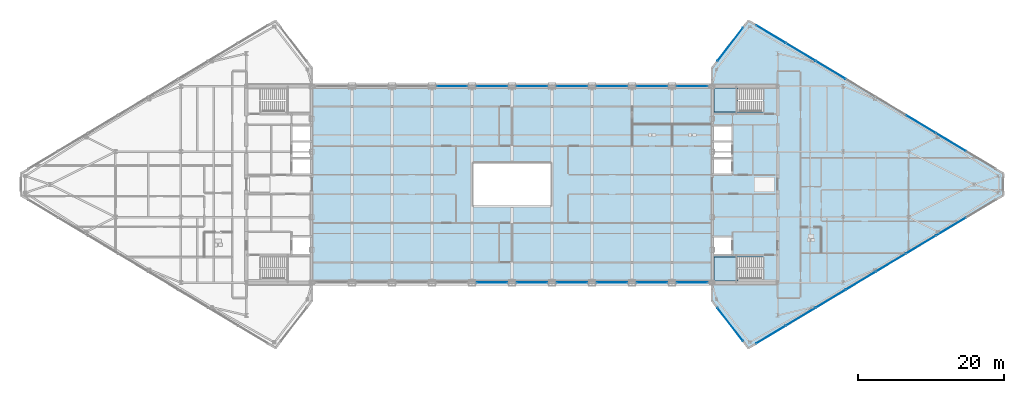
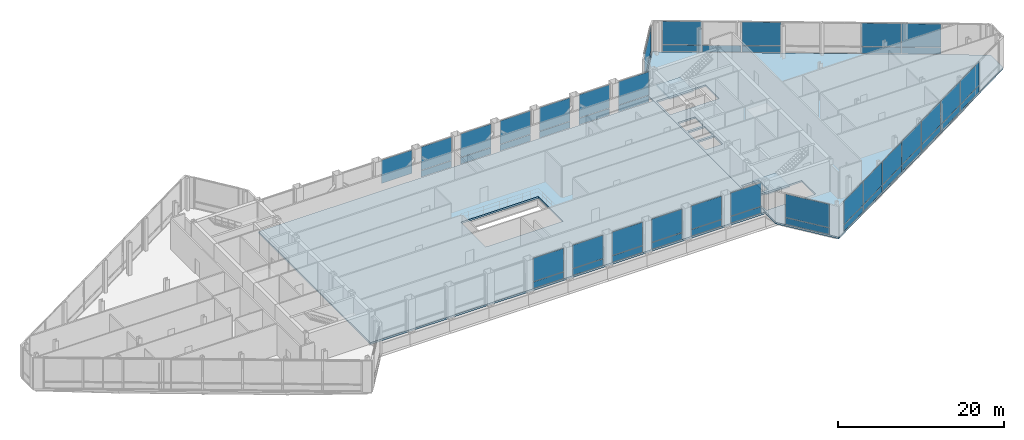
# One storey, part 20 of 30: 52 plates, 4 slabs, 19 elements without a shape of their own.
"""IFC4 building model written with IfcOpenShell, lengths in metres."""

from ifc_helpers import new_model, si_unit, direction, frame, origin, origin_2d, place, context, subcontext, project, spatial, polyline, rectangle, outline, extrude, source, transform, mapped, material, layer, layer_set, type_object, type_shapes, element, aggregate, save


model = new_model("IFC4")

# Units and contexts
model_context = context("Model", 3, precision=1e-05, world=origin(), true_north=direction((0.0, 1.0)))
body_context = subcontext(model_context, "Body", "Model", "MODEL_VIEW")
ifc_project = project(units=[si_unit("LENGTHUNIT", "METRE"), si_unit("AREAUNIT", "SQUARE_METRE"), si_unit("VOLUMEUNIT", "CUBIC_METRE"), si_unit("PLANEANGLEUNIT", "RADIAN"), si_unit("MASSUNIT", "GRAM", prefix="KILO")], contexts=[model_context])

# Site, building, storey
site_placement = place(None, origin())
site = spatial("IfcSite", under=ifc_project, at=site_placement, CompositionType="ELEMENT")
building_placement = place(site_placement, origin())
building = spatial("IfcBuilding", under=site, at=building_placement, Name="Seokmaru Belvedere", CompositionType="ELEMENT")
storey_placement = place(building_placement, frame((0.0, 0.0, 234.60009765625)))
storey = spatial("IfcBuildingStorey", under=building, at=storey_placement, Name="L62", CompositionType="ELEMENT", Elevation=234.60009765625)

# Slabs
ifc_material_1 = material(Name="Concrete C50 (50 MPa)", Category="concrete")
ifc_layer_1 = layer(ifc_material_1, 0.260009765625)
ifc_layer_set_1 = layer_set([ifc_layer_1], Name="Concrete C50 (50 MPa)")
slab_type_1 = type_object("IfcSlabType", Name="Refuge and Sky-Gate Heavy Floor Slab 260", PredefinedType="FLOOR", material=ifc_layer_set_1)
slab_1_placement = place(storey_placement, frame((0.0, 0.0, -0.260009765625)))
element("IfcSlab", 1, at=slab_1_placement, inside=storey, type_object=slab_type_1, Name="L62 East Leg Floor Slab", PredefinedType="FLOOR", context=body_context, shape_type="SweptSolid", body=[
    extrude(outline(polyline([(32.5, -22.5), (67.5, -1.5), (67.5, 1.5), (32.5, 22.5), (27.5, 16.0), (27.5, -16.0), (32.5, -22.5)]), holes=[polyline([(27.75, -13.25), (34.60009765625, -13.25), (34.60009765625, -9.949951171875), (27.75, -9.949951171875), (27.75, -13.25)]), polyline([(27.75, 9.949951171875), (34.60009765625, 9.949951171875), (34.60009765625, 13.25), (27.75, 13.25), (27.75, 9.949951171875)]), polyline([(27.75, -9.550048828125), (30.14990234375, -9.550048828125), (30.14990234375, -7.25), (27.75, -7.25), (27.75, -9.550048828125)]), polyline([(27.75, 1.449951171875), (30.14990234375, 1.449951171875), (30.14990234375, 3.449951171875), (27.75, 3.449951171875), (27.75, 1.449951171875)]), polyline([(27.75, 3.75), (30.14990234375, 3.75), (30.14990234375, 5.75), (27.75, 5.75), (27.75, 3.75)]), polyline([(27.75, 6.050048828125), (30.14990234375, 6.050048828125), (30.14990234375, 8.050048828125), (27.75, 8.050048828125), (27.75, 6.050048828125)])]), origin(), (0.0, 0.0, 1.0), 0.260009765625),
])
slab_2_placement = place(storey_placement, frame((0.0, 0.0, -0.260009765625)))
element("IfcSlab", 2, at=slab_2_placement, inside=storey, type_object=slab_type_1, Name="L62 Sky-Gate Bridge Floor Slab", PredefinedType="FLOOR", context=body_context, shape_type="SweptSolid", body=[
    extrude(outline(polyline([(-27.5, -13.5), (27.5, -13.5), (27.5, 13.5), (-27.5, 13.5), (-27.5, -13.5)]), holes=[polyline([(-5.39990234375, -3.0), (5.39990234375, -3.0), (5.39990234375, 3.0), (-5.39990234375, 3.0), (-5.39990234375, -3.0)])]), origin(), (0.0, 0.0, 1.0), 0.260009765625),
])

# Stair, slab
ifc_material_2 = material(Name="Concrete C40 (40 MPa)", Category="concrete")
stair_type = type_object("IfcStairType", Name="Basement Core Dog-Leg Stair 4800", PredefinedType="TWO_STRAIGHT_RUN_STAIR", material=ifc_material_2)
stair_1_placement = place(storey_placement, origin())
stair_1 = element("IfcStair", 3, at=stair_1_placement, inside=storey, type_object=stair_type, Name="L62 Special Escape Stair ST-E1", PredefinedType="TWO_STRAIGHT_RUN_STAIR")
ifc_layer_2 = layer(ifc_material_2, 0.199951171875)
ifc_layer_set_2 = layer_set([ifc_layer_2], Name="Concrete C40 (40 MPa)")
slab_type_2 = type_object("IfcSlabType", Name="Reinforced Concrete Stair Landing Slab 200", PredefinedType="LANDING", material=ifc_layer_set_2)
slab_3_placement = place(storey_placement, frame((0.0, 0.0, 2.199951171875)))
slab_3 = element("IfcSlab", 4, at=slab_3_placement, type_object=slab_type_2, Name="ST-E1 landing 1", PredefinedType="LANDING", context=body_context, shape_type="SweptSolid", body=[
    extrude(outline(polyline([(27.760009765625, -13.239990234375), (31.0400390625, -13.239990234375), (31.0400390625, -9.949951171875), (27.760009765625, -9.949951171875), (27.760009765625, -13.239990234375)])), origin(), (0.0, 0.0, 1.0), 0.199951171875),
])
aggregate(stair_1, [slab_3])

stair_2_placement = place(storey_placement, origin())
stair_2 = element("IfcStair", 5, at=stair_2_placement, inside=storey, type_object=stair_type, Name="L62 Special Escape Stair ST-E2", PredefinedType="TWO_STRAIGHT_RUN_STAIR")
slab_4_placement = place(storey_placement, frame((0.0, 0.0, 2.199951171875)))
slab_4 = element("IfcSlab", 6, at=slab_4_placement, type_object=slab_type_2, Name="ST-E2 landing 1", PredefinedType="LANDING", context=body_context, shape_type="SweptSolid", body=[
    extrude(outline(polyline([(27.760009765625, 9.949951171875), (31.0400390625, 9.949951171875), (31.0400390625, 13.239990234375), (27.760009765625, 13.239990234375), (27.760009765625, 9.949951171875)])), origin(), (0.0, 0.0, 1.0), 0.199951171875),
])
aggregate(stair_2, [slab_4])

# Curtain wall, plate
ifc_material_3 = material(Name="Bronze Triple Insulating Glass", Category="glass")
ifc_layer_3 = layer(ifc_material_3, 0.219970703125)
ifc_layer_set_3 = layer_set([ifc_layer_3], Name="Bronze Triple Insulating Glass")
curtain_wall_type = type_object("IfcCurtainWallType", Name="Sky-Gate Bridge Panorama Curtain Wall System CW-6", PredefinedType="NOTDEFINED", material=ifc_layer_set_3)
curtain_wall_1_placement = place(storey_placement, origin())
curtain_wall_1 = element("IfcCurtainWall", 7, at=curtain_wall_1_placement, inside=storey, type_object=curtain_wall_type, Name="L62 Curtain Wall EF4", PredefinedType="NOTDEFINED")
ifc_layer_4 = layer(ifc_material_3, 0.048095703125)
ifc_layer_set_4 = layer_set([ifc_layer_4], Name="Bronze Triple Insulating Glass")
plate_type_1 = type_object("IfcPlateType", Name="Insulated Bronze Spandrel Glazing Panel 48", PredefinedType="CURTAIN_PANEL", material=ifc_layer_set_4)
shared_shape_1 = source(origin(), body_context, "Body", "SweptSolid", [
    extrude(rectangle(XDim=5.740478515625, YDim=0.0419921875, at=origin_2d()), origin(), (0.0, 0.0, 1.0), 0.9375),
])
plate_1_placement = place(storey_placement, frame((30.0, 19.25, 0.074951171875), z_axis=(0.0, 0.0, 1.0), x_axis=(-0.609701187349, -0.792631353244, 0.0)))
plate_1 = element("IfcPlate", 8, at=plate_1_placement, type_object=plate_type_1, Name="CW:L62:EF4 Glazing Panel 1-1", PredefinedType="CURTAIN_PANEL", context=body_context, shape_type="MappedRepresentation", body=[
    mapped(shared_shape_1, transform((0.0, 0.0, 0.0), scale=1.0)),
])

curtain_wall_2_placement = place(storey_placement, origin())
curtain_wall_2 = element("IfcCurtainWall", 9, at=curtain_wall_2_placement, inside=storey, type_object=curtain_wall_type, Name="L62 Curtain Wall EF6", PredefinedType="NOTDEFINED")
plate_2_placement = place(storey_placement, frame((30.0, -19.25, 0.074951171875), z_axis=(0.0, 0.0, 1.0), x_axis=(0.609701187349, -0.792631353244, 0.0)))
plate_2 = element("IfcPlate", 10, at=plate_2_placement, type_object=plate_type_1, Name="CW:L62:EF6 Glazing Panel 1-1", PredefinedType="CURTAIN_PANEL", context=body_context, shape_type="MappedRepresentation", body=[
    mapped(shared_shape_1, transform((0.0, 0.0, 0.0), scale=1.0)),
])

curtain_wall_3_placement = place(storey_placement, origin())
curtain_wall_3 = element("IfcCurtainWall", 11, at=curtain_wall_3_placement, inside=storey, type_object=curtain_wall_type, Name="L62 Curtain Wall EF1", PredefinedType="NOTDEFINED")
shared_shape_2 = source(origin(), body_context, "Body", "SweptSolid", [
    extrude(rectangle(XDim=4.694580078125, YDim=0.0419921875, at=origin_2d()), origin(), (0.0, 0.0, 1.0), 0.9375),
])
plate_3_placement = place(storey_placement, frame((35.5673828125, -20.659423828125, 0.074951171875), z_axis=(0.0, 0.0, 1.0), x_axis=(0.85749343335, 0.514494909364, 0.0)))
plate_3 = element("IfcPlate", 12, at=plate_3_placement, type_object=plate_type_1, Name="CW:L62:EF1 Glazing Panel 1-1", PredefinedType="CURTAIN_PANEL", context=body_context, shape_type="MappedRepresentation", body=[
    mapped(shared_shape_2, transform((0.0, 0.0, 0.0), scale=1.0)),
])

curtain_wall_4_placement = place(storey_placement, origin())
curtain_wall_4 = element("IfcCurtainWall", 13, at=curtain_wall_4_placement, inside=storey, type_object=curtain_wall_type, Name="L62 Curtain Wall EF3", PredefinedType="NOTDEFINED")
plate_4_placement = place(storey_placement, frame((35.5673828125, 20.659423828125, 0.074951171875), z_axis=(0.0, 0.0, 1.0), x_axis=(-0.85749343335, 0.514494909364, 0.0)))
plate_4 = element("IfcPlate", 14, at=plate_4_placement, type_object=plate_type_1, Name="CW:L62:EF3 Glazing Panel 8-1", PredefinedType="CURTAIN_PANEL", context=body_context, shape_type="MappedRepresentation", body=[
    mapped(shared_shape_2, transform((0.0, 0.0, 0.0), scale=1.0)),
])

# Plate
shared_shape_3 = source(origin(), body_context, "Body", "SweptSolid", [
    extrude(rectangle(XDim=4.734619140625, YDim=0.0419921875, at=origin_2d()), origin(), (0.0, 0.0, 1.0), 0.9375),
])
plate_5_placement = place(storey_placement, frame((39.6787109375, -18.192626953125, 0.074951171875), z_axis=(0.0, 0.0, 1.0), x_axis=(0.85749343335, 0.514494909364, 0.0)))
plate_5 = element("IfcPlate", 15, at=plate_5_placement, type_object=plate_type_1, Name="CW:L62:EF1 Glazing Panel 2-1", PredefinedType="CURTAIN_PANEL", context=body_context, shape_type="MappedRepresentation", body=[
    mapped(shared_shape_3, transform((0.0, 0.0, 0.0), scale=1.0)),
])

plate_6_placement = place(storey_placement, frame((43.807373046875, -15.715576171875, 0.074951171875), z_axis=(0.0, 0.0, 1.0), x_axis=(0.85749343335, 0.514494909364, 0.0)))
plate_6 = element("IfcPlate", 16, at=plate_6_placement, type_object=plate_type_1, Name="CW:L62:EF1 Glazing Panel 3-1", PredefinedType="CURTAIN_PANEL", context=body_context, shape_type="MappedRepresentation", body=[
    mapped(shared_shape_3, transform((0.0, 0.0, 0.0), scale=1.0)),
])

plate_7_placement = place(storey_placement, frame((47.935791015625, -13.238525390625, 0.074951171875), z_axis=(0.0, 0.0, 1.0), x_axis=(0.85749343335, 0.514494909364, 0.0)))
plate_7 = element("IfcPlate", 17, at=plate_7_placement, type_object=plate_type_1, Name="CW:L62:EF1 Glazing Panel 4-1", PredefinedType="CURTAIN_PANEL", context=body_context, shape_type="MappedRepresentation", body=[
    mapped(shared_shape_3, transform((0.0, 0.0, 0.0), scale=1.0)),
])

plate_8_placement = place(storey_placement, frame((52.064208984375, -10.761474609375, 0.074951171875), z_axis=(0.0, 0.0, 1.0), x_axis=(0.85749343335, 0.514494909364, 0.0)))
plate_8 = element("IfcPlate", 18, at=plate_8_placement, type_object=plate_type_1, Name="CW:L62:EF1 Glazing Panel 5-1", PredefinedType="CURTAIN_PANEL", context=body_context, shape_type="MappedRepresentation", body=[
    mapped(shared_shape_3, transform((0.0, 0.0, 0.0), scale=1.0)),
])

plate_9_placement = place(storey_placement, frame((56.192626953125, -8.284423828125, 0.074951171875), z_axis=(0.0, 0.0, 1.0), x_axis=(0.85749343335, 0.514494909364, 0.0)))
plate_9 = element("IfcPlate", 19, at=plate_9_placement, type_object=plate_type_1, Name="CW:L62:EF1 Glazing Panel 6-1", PredefinedType="CURTAIN_PANEL", context=body_context, shape_type="MappedRepresentation", body=[
    mapped(shared_shape_3, transform((0.0, 0.0, 0.0), scale=1.0)),
])

plate_10_placement = place(storey_placement, frame((60.3212890625, -5.807373046875, 0.074951171875), z_axis=(0.0, 0.0, 1.0), x_axis=(0.85749343335, 0.514494909364, 0.0)))
plate_10 = element("IfcPlate", 20, at=plate_10_placement, type_object=plate_type_1, Name="CW:L62:EF1 Glazing Panel 7-1", PredefinedType="CURTAIN_PANEL", context=body_context, shape_type="MappedRepresentation", body=[
    mapped(shared_shape_3, transform((0.0, 0.0, 0.0), scale=1.0)),
])

plate_11_placement = place(storey_placement, frame((60.3212890625, 5.807373046875, 0.074951171875), z_axis=(0.0, 0.0, 1.0), x_axis=(-0.85749343335, 0.514494909364, 0.0)))
plate_11 = element("IfcPlate", 21, at=plate_11_placement, type_object=plate_type_1, Name="CW:L62:EF3 Glazing Panel 2-1", PredefinedType="CURTAIN_PANEL", context=body_context, shape_type="MappedRepresentation", body=[
    mapped(shared_shape_3, transform((0.0, 0.0, 0.0), scale=1.0)),
])

plate_12_placement = place(storey_placement, frame((56.192626953125, 8.284423828125, 0.074951171875), z_axis=(0.0, 0.0, 1.0), x_axis=(-0.85749343335, 0.514494909364, 0.0)))
plate_12 = element("IfcPlate", 22, at=plate_12_placement, type_object=plate_type_1, Name="CW:L62:EF3 Glazing Panel 3-1", PredefinedType="CURTAIN_PANEL", context=body_context, shape_type="MappedRepresentation", body=[
    mapped(shared_shape_3, transform((0.0, 0.0, 0.0), scale=1.0)),
])

plate_13_placement = place(storey_placement, frame((43.807373046875, 15.715576171875, 0.074951171875), z_axis=(0.0, 0.0, 1.0), x_axis=(-0.85749343335, 0.514494909364, 0.0)))
plate_13 = element("IfcPlate", 23, at=plate_13_placement, type_object=plate_type_1, Name="CW:L62:EF3 Glazing Panel 6-1", PredefinedType="CURTAIN_PANEL", context=body_context, shape_type="MappedRepresentation", body=[
    mapped(shared_shape_3, transform((0.0, 0.0, 0.0), scale=1.0)),
])

plate_14_placement = place(storey_placement, frame((39.6787109375, 18.192626953125, 0.074951171875), z_axis=(0.0, 0.0, 1.0), x_axis=(-0.85749343335, 0.514494909364, 0.0)))
plate_14 = element("IfcPlate", 24, at=plate_14_placement, type_object=plate_type_1, Name="CW:L62:EF3 Glazing Panel 7-1", PredefinedType="CURTAIN_PANEL", context=body_context, shape_type="MappedRepresentation", body=[
    mapped(shared_shape_3, transform((0.0, 0.0, 0.0), scale=1.0)),
])

# Curtain wall, plate
curtain_wall_5_placement = place(storey_placement, origin())
curtain_wall_5 = element("IfcCurtainWall", 25, at=curtain_wall_5_placement, inside=storey, type_object=curtain_wall_type, Name="L62 Curtain Wall BR_S05", PredefinedType="NOTDEFINED")
shared_shape_4 = source(origin(), body_context, "Body", "SweptSolid", [
    extrude(rectangle(XDim=4.239990234375, YDim=0.0419921875, at=origin_2d()), origin(), (0.0, 0.0, 1.0), 0.9375),
])
type_shapes(plate_type_1, [shared_shape_1, shared_shape_2, shared_shape_3, shared_shape_4])
plate_15_placement = place(storey_placement, frame((-2.75, -13.5, 0.074951171875), z_axis=(0.0, 0.0, 1.0), x_axis=(1.0, 0.0, 0.0)))
plate_15 = element("IfcPlate", 26, at=plate_15_placement, type_object=plate_type_1, Name="CW:L62:BR_S05 Glazing Panel 1-1", PredefinedType="CURTAIN_PANEL", context=body_context, shape_type="MappedRepresentation", body=[
    mapped(shared_shape_4, transform((0.0, 0.0, 0.0), scale=1.0)),
])

curtain_wall_6_placement = place(storey_placement, origin())
curtain_wall_6 = element("IfcCurtainWall", 27, at=curtain_wall_6_placement, inside=storey, type_object=curtain_wall_type, Name="L62 Curtain Wall BR_N05", PredefinedType="NOTDEFINED")
plate_16_placement = place(storey_placement, frame((-2.75, 13.5, 0.074951171875), z_axis=(0.0, 0.0, 1.0), x_axis=(-1.0, 0.0, 0.0)))
plate_16 = element("IfcPlate", 28, at=plate_16_placement, type_object=plate_type_1, Name="CW:L62:BR_N05 Glazing Panel 1-1", PredefinedType="CURTAIN_PANEL", context=body_context, shape_type="MappedRepresentation", body=[
    mapped(shared_shape_4, transform((0.0, 0.0, 0.0), scale=1.0)),
])

curtain_wall_7_placement = place(storey_placement, origin())
curtain_wall_7 = element("IfcCurtainWall", 29, at=curtain_wall_7_placement, inside=storey, type_object=curtain_wall_type, Name="L62 Curtain Wall BR_S06", PredefinedType="NOTDEFINED")
plate_17_placement = place(storey_placement, frame((2.75, -13.5, 0.074951171875), z_axis=(0.0, 0.0, 1.0), x_axis=(1.0, 0.0, 0.0)))
plate_17 = element("IfcPlate", 30, at=plate_17_placement, type_object=plate_type_1, Name="CW:L62:BR_S06 Glazing Panel 1-1", PredefinedType="CURTAIN_PANEL", context=body_context, shape_type="MappedRepresentation", body=[
    mapped(shared_shape_4, transform((0.0, 0.0, 0.0), scale=1.0)),
])

curtain_wall_8_placement = place(storey_placement, origin())
curtain_wall_8 = element("IfcCurtainWall", 31, at=curtain_wall_8_placement, inside=storey, type_object=curtain_wall_type, Name="L62 Curtain Wall BR_N06", PredefinedType="NOTDEFINED")
plate_18_placement = place(storey_placement, frame((2.75, 13.5, 0.074951171875), z_axis=(0.0, 0.0, 1.0), x_axis=(-1.0, 0.0, 0.0)))
plate_18 = element("IfcPlate", 32, at=plate_18_placement, type_object=plate_type_1, Name="CW:L62:BR_N06 Glazing Panel 1-1", PredefinedType="CURTAIN_PANEL", context=body_context, shape_type="MappedRepresentation", body=[
    mapped(shared_shape_4, transform((0.0, 0.0, 0.0), scale=1.0)),
])

curtain_wall_9_placement = place(storey_placement, origin())
curtain_wall_9 = element("IfcCurtainWall", 33, at=curtain_wall_9_placement, inside=storey, type_object=curtain_wall_type, Name="L62 Curtain Wall BR_S07", PredefinedType="NOTDEFINED")
plate_19_placement = place(storey_placement, frame((8.25, -13.5, 0.074951171875), z_axis=(0.0, 0.0, 1.0), x_axis=(1.0, 0.0, 0.0)))
plate_19 = element("IfcPlate", 34, at=plate_19_placement, type_object=plate_type_1, Name="CW:L62:BR_S07 Glazing Panel 1-1", PredefinedType="CURTAIN_PANEL", context=body_context, shape_type="MappedRepresentation", body=[
    mapped(shared_shape_4, transform((0.0, 0.0, 0.0), scale=1.0)),
])

curtain_wall_10_placement = place(storey_placement, origin())
curtain_wall_10 = element("IfcCurtainWall", 35, at=curtain_wall_10_placement, inside=storey, type_object=curtain_wall_type, Name="L62 Curtain Wall BR_N07", PredefinedType="NOTDEFINED")
plate_20_placement = place(storey_placement, frame((8.25, 13.5, 0.074951171875), z_axis=(0.0, 0.0, 1.0), x_axis=(-1.0, 0.0, 0.0)))
plate_20 = element("IfcPlate", 36, at=plate_20_placement, type_object=plate_type_1, Name="CW:L62:BR_N07 Glazing Panel 1-1", PredefinedType="CURTAIN_PANEL", context=body_context, shape_type="MappedRepresentation", body=[
    mapped(shared_shape_4, transform((0.0, 0.0, 0.0), scale=1.0)),
])

curtain_wall_11_placement = place(storey_placement, origin())
curtain_wall_11 = element("IfcCurtainWall", 37, at=curtain_wall_11_placement, inside=storey, type_object=curtain_wall_type, Name="L62 Curtain Wall BR_S08", PredefinedType="NOTDEFINED")
plate_21_placement = place(storey_placement, frame((13.75, -13.5, 0.074951171875), z_axis=(0.0, 0.0, 1.0), x_axis=(1.0, 0.0, 0.0)))
plate_21 = element("IfcPlate", 38, at=plate_21_placement, type_object=plate_type_1, Name="CW:L62:BR_S08 Glazing Panel 1-1", PredefinedType="CURTAIN_PANEL", context=body_context, shape_type="MappedRepresentation", body=[
    mapped(shared_shape_4, transform((0.0, 0.0, 0.0), scale=1.0)),
])

curtain_wall_12_placement = place(storey_placement, origin())
curtain_wall_12 = element("IfcCurtainWall", 39, at=curtain_wall_12_placement, inside=storey, type_object=curtain_wall_type, Name="L62 Curtain Wall BR_N08", PredefinedType="NOTDEFINED")
plate_22_placement = place(storey_placement, frame((13.75, 13.5, 0.074951171875), z_axis=(0.0, 0.0, 1.0), x_axis=(-1.0, 0.0, 0.0)))
plate_22 = element("IfcPlate", 40, at=plate_22_placement, type_object=plate_type_1, Name="CW:L62:BR_N08 Glazing Panel 1-1", PredefinedType="CURTAIN_PANEL", context=body_context, shape_type="MappedRepresentation", body=[
    mapped(shared_shape_4, transform((0.0, 0.0, 0.0), scale=1.0)),
])

curtain_wall_13_placement = place(storey_placement, origin())
curtain_wall_13 = element("IfcCurtainWall", 41, at=curtain_wall_13_placement, inside=storey, type_object=curtain_wall_type, Name="L62 Curtain Wall BR_S09", PredefinedType="NOTDEFINED")
plate_23_placement = place(storey_placement, frame((19.25, -13.5, 0.074951171875), z_axis=(0.0, 0.0, 1.0), x_axis=(1.0, 0.0, 0.0)))
plate_23 = element("IfcPlate", 42, at=plate_23_placement, type_object=plate_type_1, Name="CW:L62:BR_S09 Glazing Panel 1-1", PredefinedType="CURTAIN_PANEL", context=body_context, shape_type="MappedRepresentation", body=[
    mapped(shared_shape_4, transform((0.0, 0.0, 0.0), scale=1.0)),
])

curtain_wall_14_placement = place(storey_placement, origin())
curtain_wall_14 = element("IfcCurtainWall", 43, at=curtain_wall_14_placement, inside=storey, type_object=curtain_wall_type, Name="L62 Curtain Wall BR_N09", PredefinedType="NOTDEFINED")
plate_24_placement = place(storey_placement, frame((19.25, 13.5, 0.074951171875), z_axis=(0.0, 0.0, 1.0), x_axis=(-1.0, 0.0, 0.0)))
plate_24 = element("IfcPlate", 44, at=plate_24_placement, type_object=plate_type_1, Name="CW:L62:BR_N09 Glazing Panel 1-1", PredefinedType="CURTAIN_PANEL", context=body_context, shape_type="MappedRepresentation", body=[
    mapped(shared_shape_4, transform((0.0, 0.0, 0.0), scale=1.0)),
])

curtain_wall_15_placement = place(storey_placement, origin())
curtain_wall_15 = element("IfcCurtainWall", 45, at=curtain_wall_15_placement, inside=storey, type_object=curtain_wall_type, Name="L62 Curtain Wall BR_S10", PredefinedType="NOTDEFINED")
plate_25_placement = place(storey_placement, frame((24.75, -13.5, 0.074951171875), z_axis=(0.0, 0.0, 1.0), x_axis=(1.0, 0.0, 0.0)))
plate_25 = element("IfcPlate", 46, at=plate_25_placement, type_object=plate_type_1, Name="CW:L62:BR_S10 Glazing Panel 1-1", PredefinedType="CURTAIN_PANEL", context=body_context, shape_type="MappedRepresentation", body=[
    mapped(shared_shape_4, transform((0.0, 0.0, 0.0), scale=1.0)),
])

curtain_wall_16_placement = place(storey_placement, origin())
curtain_wall_16 = element("IfcCurtainWall", 47, at=curtain_wall_16_placement, inside=storey, type_object=curtain_wall_type, Name="L62 Curtain Wall BR_N10", PredefinedType="NOTDEFINED")
plate_26_placement = place(storey_placement, frame((24.75, 13.5, 0.074951171875), z_axis=(0.0, 0.0, 1.0), x_axis=(-1.0, 0.0, 0.0)))
plate_26 = element("IfcPlate", 48, at=plate_26_placement, type_object=plate_type_1, Name="CW:L62:BR_N10 Glazing Panel 1-1", PredefinedType="CURTAIN_PANEL", context=body_context, shape_type="MappedRepresentation", body=[
    mapped(shared_shape_4, transform((0.0, 0.0, 0.0), scale=1.0)),
])

# Plate
ifc_layer_5 = layer(ifc_material_3, 0.0419921875)
ifc_layer_set_5 = layer_set([ifc_layer_5], Name="Bronze Triple Insulating Glass")
plate_type_2 = type_object("IfcPlateType", Name="Acoustic Laminated Panorama Glazing Panel 42", PredefinedType="CURTAIN_PANEL", material=ifc_layer_set_5)
shared_shape_5 = source(origin(), body_context, "Body", "SweptSolid", [
    extrude(rectangle(XDim=5.740478515625, YDim=0.0419921875, at=origin_2d()), origin(), (0.0, 0.0, 1.0), 3.41748046875),
])
plate_27_placement = place(storey_placement, frame((30.0, 19.25, 1.08740234375), z_axis=(0.0, 0.0, 1.0), x_axis=(-0.609701187349, -0.792631353244, 0.0)))
plate_27 = element("IfcPlate", 49, at=plate_27_placement, type_object=plate_type_2, Name="CW:L62:EF4 Glazing Panel 1-2", PredefinedType="CURTAIN_PANEL", context=body_context, shape_type="MappedRepresentation", body=[
    mapped(shared_shape_5, transform((0.0, 0.0, 0.0), scale=1.0)),
])

aggregate(curtain_wall_1, [plate_1, plate_27])

plate_28_placement = place(storey_placement, frame((30.0, -19.25, 1.08740234375), z_axis=(0.0, 0.0, 1.0), x_axis=(0.609701187349, -0.792631353244, 0.0)))
plate_28 = element("IfcPlate", 50, at=plate_28_placement, type_object=plate_type_2, Name="CW:L62:EF6 Glazing Panel 1-2", PredefinedType="CURTAIN_PANEL", context=body_context, shape_type="MappedRepresentation", body=[
    mapped(shared_shape_5, transform((0.0, 0.0, 0.0), scale=1.0)),
])

aggregate(curtain_wall_2, [plate_2, plate_28])

shared_shape_6 = source(origin(), body_context, "Body", "SweptSolid", [
    extrude(rectangle(XDim=4.694580078125, YDim=0.0419921875, at=origin_2d()), origin(), (0.0, 0.0, 1.0), 3.41748046875),
])
plate_29_placement = place(storey_placement, frame((35.5673828125, -20.659423828125, 1.08740234375), z_axis=(0.0, 0.0, 1.0), x_axis=(0.85749343335, 0.514494909364, 0.0)))
plate_29 = element("IfcPlate", 51, at=plate_29_placement, type_object=plate_type_2, Name="CW:L62:EF1 Glazing Panel 1-2", PredefinedType="CURTAIN_PANEL", context=body_context, shape_type="MappedRepresentation", body=[
    mapped(shared_shape_6, transform((0.0, 0.0, 0.0), scale=1.0)),
])

plate_30_placement = place(storey_placement, frame((35.5673828125, 20.659423828125, 1.08740234375), z_axis=(0.0, 0.0, 1.0), x_axis=(-0.85749343335, 0.514494909364, 0.0)))
plate_30 = element("IfcPlate", 52, at=plate_30_placement, type_object=plate_type_2, Name="CW:L62:EF3 Glazing Panel 8-2", PredefinedType="CURTAIN_PANEL", context=body_context, shape_type="MappedRepresentation", body=[
    mapped(shared_shape_6, transform((0.0, 0.0, 0.0), scale=1.0)),
])

shared_shape_7 = source(origin(), body_context, "Body", "SweptSolid", [
    extrude(rectangle(XDim=4.734619140625, YDim=0.0419921875, at=origin_2d()), origin(), (0.0, 0.0, 1.0), 3.41748046875),
])
plate_31_placement = place(storey_placement, frame((39.6787109375, -18.192626953125, 1.08740234375), z_axis=(0.0, 0.0, 1.0), x_axis=(0.85749343335, 0.514494909364, 0.0)))
plate_31 = element("IfcPlate", 53, at=plate_31_placement, type_object=plate_type_2, Name="CW:L62:EF1 Glazing Panel 2-2", PredefinedType="CURTAIN_PANEL", context=body_context, shape_type="MappedRepresentation", body=[
    mapped(shared_shape_7, transform((0.0, 0.0, 0.0), scale=1.0)),
])

plate_32_placement = place(storey_placement, frame((43.807373046875, -15.715576171875, 1.08740234375), z_axis=(0.0, 0.0, 1.0), x_axis=(0.85749343335, 0.514494909364, 0.0)))
plate_32 = element("IfcPlate", 54, at=plate_32_placement, type_object=plate_type_2, Name="CW:L62:EF1 Glazing Panel 3-2", PredefinedType="CURTAIN_PANEL", context=body_context, shape_type="MappedRepresentation", body=[
    mapped(shared_shape_7, transform((0.0, 0.0, 0.0), scale=1.0)),
])

plate_33_placement = place(storey_placement, frame((47.935791015625, -13.238525390625, 1.08740234375), z_axis=(0.0, 0.0, 1.0), x_axis=(0.85749343335, 0.514494909364, 0.0)))
plate_33 = element("IfcPlate", 55, at=plate_33_placement, type_object=plate_type_2, Name="CW:L62:EF1 Glazing Panel 4-2", PredefinedType="CURTAIN_PANEL", context=body_context, shape_type="MappedRepresentation", body=[
    mapped(shared_shape_7, transform((0.0, 0.0, 0.0), scale=1.0)),
])

plate_34_placement = place(storey_placement, frame((52.064208984375, -10.761474609375, 1.08740234375), z_axis=(0.0, 0.0, 1.0), x_axis=(0.85749343335, 0.514494909364, 0.0)))
plate_34 = element("IfcPlate", 56, at=plate_34_placement, type_object=plate_type_2, Name="CW:L62:EF1 Glazing Panel 5-2", PredefinedType="CURTAIN_PANEL", context=body_context, shape_type="MappedRepresentation", body=[
    mapped(shared_shape_7, transform((0.0, 0.0, 0.0), scale=1.0)),
])

plate_35_placement = place(storey_placement, frame((56.192626953125, -8.284423828125, 1.08740234375), z_axis=(0.0, 0.0, 1.0), x_axis=(0.85749343335, 0.514494909364, 0.0)))
plate_35 = element("IfcPlate", 57, at=plate_35_placement, type_object=plate_type_2, Name="CW:L62:EF1 Glazing Panel 6-2", PredefinedType="CURTAIN_PANEL", context=body_context, shape_type="MappedRepresentation", body=[
    mapped(shared_shape_7, transform((0.0, 0.0, 0.0), scale=1.0)),
])

plate_36_placement = place(storey_placement, frame((60.3212890625, -5.807373046875, 1.08740234375), z_axis=(0.0, 0.0, 1.0), x_axis=(0.85749343335, 0.514494909364, 0.0)))
plate_36 = element("IfcPlate", 58, at=plate_36_placement, type_object=plate_type_2, Name="CW:L62:EF1 Glazing Panel 7-2", PredefinedType="CURTAIN_PANEL", context=body_context, shape_type="MappedRepresentation", body=[
    mapped(shared_shape_7, transform((0.0, 0.0, 0.0), scale=1.0)),
])

aggregate(curtain_wall_3, [plate_3, plate_29, plate_5, plate_31, plate_6, plate_32, plate_7, plate_33, plate_8, plate_34, plate_9, plate_35, plate_10, plate_36])

plate_37_placement = place(storey_placement, frame((60.3212890625, 5.807373046875, 1.08740234375), z_axis=(0.0, 0.0, 1.0), x_axis=(-0.85749343335, 0.514494909364, 0.0)))
plate_37 = element("IfcPlate", 59, at=plate_37_placement, type_object=plate_type_2, Name="CW:L62:EF3 Glazing Panel 2-2", PredefinedType="CURTAIN_PANEL", context=body_context, shape_type="MappedRepresentation", body=[
    mapped(shared_shape_7, transform((0.0, 0.0, 0.0), scale=1.0)),
])

plate_38_placement = place(storey_placement, frame((56.192626953125, 8.284423828125, 1.08740234375), z_axis=(0.0, 0.0, 1.0), x_axis=(-0.85749343335, 0.514494909364, 0.0)))
plate_38 = element("IfcPlate", 60, at=plate_38_placement, type_object=plate_type_2, Name="CW:L62:EF3 Glazing Panel 3-2", PredefinedType="CURTAIN_PANEL", context=body_context, shape_type="MappedRepresentation", body=[
    mapped(shared_shape_7, transform((0.0, 0.0, 0.0), scale=1.0)),
])

plate_39_placement = place(storey_placement, frame((43.807373046875, 15.715576171875, 1.08740234375), z_axis=(0.0, 0.0, 1.0), x_axis=(-0.85749343335, 0.514494909364, 0.0)))
plate_39 = element("IfcPlate", 61, at=plate_39_placement, type_object=plate_type_2, Name="CW:L62:EF3 Glazing Panel 6-2", PredefinedType="CURTAIN_PANEL", context=body_context, shape_type="MappedRepresentation", body=[
    mapped(shared_shape_7, transform((0.0, 0.0, 0.0), scale=1.0)),
])

aggregate(curtain_wall_4, [plate_11, plate_37, plate_12, plate_38, plate_13, plate_39, plate_14, plate_4, plate_30])

# Curtain wall, plate
curtain_wall_17_placement = place(storey_placement, origin())
curtain_wall_17 = element("IfcCurtainWall", 62, at=curtain_wall_17_placement, inside=storey, type_object=curtain_wall_type, Name="L62 Curtain Wall BR_N04", PredefinedType="NOTDEFINED")
shared_shape_8 = source(origin(), body_context, "Body", "SweptSolid", [
    extrude(rectangle(XDim=4.239990234375, YDim=0.0419921875, at=origin_2d()), origin(), (0.0, 0.0, 1.0), 3.41748046875),
])
type_shapes(plate_type_2, [shared_shape_5, shared_shape_6, shared_shape_7, shared_shape_8])
plate_40_placement = place(storey_placement, frame((-8.25, 13.5, 1.08740234375), z_axis=(0.0, 0.0, 1.0), x_axis=(-1.0, 0.0, 0.0)))
plate_40 = element("IfcPlate", 63, at=plate_40_placement, type_object=plate_type_2, Name="CW:L62:BR_N04 Glazing Panel 1-2", PredefinedType="CURTAIN_PANEL", context=body_context, shape_type="MappedRepresentation", body=[
    mapped(shared_shape_8, transform((0.0, 0.0, 0.0), scale=1.0)),
])
aggregate(curtain_wall_17, [plate_40])

# Plate
plate_41_placement = place(storey_placement, frame((-2.75, -13.5, 1.08740234375), z_axis=(0.0, 0.0, 1.0), x_axis=(1.0, 0.0, 0.0)))
plate_41 = element("IfcPlate", 64, at=plate_41_placement, type_object=plate_type_2, Name="CW:L62:BR_S05 Glazing Panel 1-2", PredefinedType="CURTAIN_PANEL", context=body_context, shape_type="MappedRepresentation", body=[
    mapped(shared_shape_8, transform((0.0, 0.0, 0.0), scale=1.0)),
])

aggregate(curtain_wall_5, [plate_15, plate_41])

plate_42_placement = place(storey_placement, frame((-2.75, 13.5, 1.08740234375), z_axis=(0.0, 0.0, 1.0), x_axis=(-1.0, 0.0, 0.0)))
plate_42 = element("IfcPlate", 65, at=plate_42_placement, type_object=plate_type_2, Name="CW:L62:BR_N05 Glazing Panel 1-2", PredefinedType="CURTAIN_PANEL", context=body_context, shape_type="MappedRepresentation", body=[
    mapped(shared_shape_8, transform((0.0, 0.0, 0.0), scale=1.0)),
])

aggregate(curtain_wall_6, [plate_16, plate_42])

plate_43_placement = place(storey_placement, frame((2.75, -13.5, 1.08740234375), z_axis=(0.0, 0.0, 1.0), x_axis=(1.0, 0.0, 0.0)))
plate_43 = element("IfcPlate", 66, at=plate_43_placement, type_object=plate_type_2, Name="CW:L62:BR_S06 Glazing Panel 1-2", PredefinedType="CURTAIN_PANEL", context=body_context, shape_type="MappedRepresentation", body=[
    mapped(shared_shape_8, transform((0.0, 0.0, 0.0), scale=1.0)),
])

aggregate(curtain_wall_7, [plate_17, plate_43])

plate_44_placement = place(storey_placement, frame((2.75, 13.5, 1.08740234375), z_axis=(0.0, 0.0, 1.0), x_axis=(-1.0, 0.0, 0.0)))
plate_44 = element("IfcPlate", 67, at=plate_44_placement, type_object=plate_type_2, Name="CW:L62:BR_N06 Glazing Panel 1-2", PredefinedType="CURTAIN_PANEL", context=body_context, shape_type="MappedRepresentation", body=[
    mapped(shared_shape_8, transform((0.0, 0.0, 0.0), scale=1.0)),
])

aggregate(curtain_wall_8, [plate_18, plate_44])

plate_45_placement = place(storey_placement, frame((8.25, -13.5, 1.08740234375), z_axis=(0.0, 0.0, 1.0), x_axis=(1.0, 0.0, 0.0)))
plate_45 = element("IfcPlate", 68, at=plate_45_placement, type_object=plate_type_2, Name="CW:L62:BR_S07 Glazing Panel 1-2", PredefinedType="CURTAIN_PANEL", context=body_context, shape_type="MappedRepresentation", body=[
    mapped(shared_shape_8, transform((0.0, 0.0, 0.0), scale=1.0)),
])

aggregate(curtain_wall_9, [plate_19, plate_45])

plate_46_placement = place(storey_placement, frame((8.25, 13.5, 1.08740234375), z_axis=(0.0, 0.0, 1.0), x_axis=(-1.0, 0.0, 0.0)))
plate_46 = element("IfcPlate", 69, at=plate_46_placement, type_object=plate_type_2, Name="CW:L62:BR_N07 Glazing Panel 1-2", PredefinedType="CURTAIN_PANEL", context=body_context, shape_type="MappedRepresentation", body=[
    mapped(shared_shape_8, transform((0.0, 0.0, 0.0), scale=1.0)),
])

aggregate(curtain_wall_10, [plate_20, plate_46])

plate_47_placement = place(storey_placement, frame((13.75, -13.5, 1.08740234375), z_axis=(0.0, 0.0, 1.0), x_axis=(1.0, 0.0, 0.0)))
plate_47 = element("IfcPlate", 70, at=plate_47_placement, type_object=plate_type_2, Name="CW:L62:BR_S08 Glazing Panel 1-2", PredefinedType="CURTAIN_PANEL", context=body_context, shape_type="MappedRepresentation", body=[
    mapped(shared_shape_8, transform((0.0, 0.0, 0.0), scale=1.0)),
])

aggregate(curtain_wall_11, [plate_21, plate_47])

plate_48_placement = place(storey_placement, frame((13.75, 13.5, 1.08740234375), z_axis=(0.0, 0.0, 1.0), x_axis=(-1.0, 0.0, 0.0)))
plate_48 = element("IfcPlate", 71, at=plate_48_placement, type_object=plate_type_2, Name="CW:L62:BR_N08 Glazing Panel 1-2", PredefinedType="CURTAIN_PANEL", context=body_context, shape_type="MappedRepresentation", body=[
    mapped(shared_shape_8, transform((0.0, 0.0, 0.0), scale=1.0)),
])

aggregate(curtain_wall_12, [plate_22, plate_48])

plate_49_placement = place(storey_placement, frame((19.25, -13.5, 1.08740234375), z_axis=(0.0, 0.0, 1.0), x_axis=(1.0, 0.0, 0.0)))
plate_49 = element("IfcPlate", 72, at=plate_49_placement, type_object=plate_type_2, Name="CW:L62:BR_S09 Glazing Panel 1-2", PredefinedType="CURTAIN_PANEL", context=body_context, shape_type="MappedRepresentation", body=[
    mapped(shared_shape_8, transform((0.0, 0.0, 0.0), scale=1.0)),
])

aggregate(curtain_wall_13, [plate_23, plate_49])

plate_50_placement = place(storey_placement, frame((19.25, 13.5, 1.08740234375), z_axis=(0.0, 0.0, 1.0), x_axis=(-1.0, 0.0, 0.0)))
plate_50 = element("IfcPlate", 73, at=plate_50_placement, type_object=plate_type_2, Name="CW:L62:BR_N09 Glazing Panel 1-2", PredefinedType="CURTAIN_PANEL", context=body_context, shape_type="MappedRepresentation", body=[
    mapped(shared_shape_8, transform((0.0, 0.0, 0.0), scale=1.0)),
])

aggregate(curtain_wall_14, [plate_24, plate_50])

plate_51_placement = place(storey_placement, frame((24.75, -13.5, 1.08740234375), z_axis=(0.0, 0.0, 1.0), x_axis=(1.0, 0.0, 0.0)))
plate_51 = element("IfcPlate", 74, at=plate_51_placement, type_object=plate_type_2, Name="CW:L62:BR_S10 Glazing Panel 1-2", PredefinedType="CURTAIN_PANEL", context=body_context, shape_type="MappedRepresentation", body=[
    mapped(shared_shape_8, transform((0.0, 0.0, 0.0), scale=1.0)),
])

aggregate(curtain_wall_15, [plate_25, plate_51])

plate_52_placement = place(storey_placement, frame((24.75, 13.5, 1.08740234375), z_axis=(0.0, 0.0, 1.0), x_axis=(-1.0, 0.0, 0.0)))
plate_52 = element("IfcPlate", 75, at=plate_52_placement, type_object=plate_type_2, Name="CW:L62:BR_N10 Glazing Panel 1-2", PredefinedType="CURTAIN_PANEL", context=body_context, shape_type="MappedRepresentation", body=[
    mapped(shared_shape_8, transform((0.0, 0.0, 0.0), scale=1.0)),
])

aggregate(curtain_wall_16, [plate_26, plate_52])

save(model, "model.ifc")
